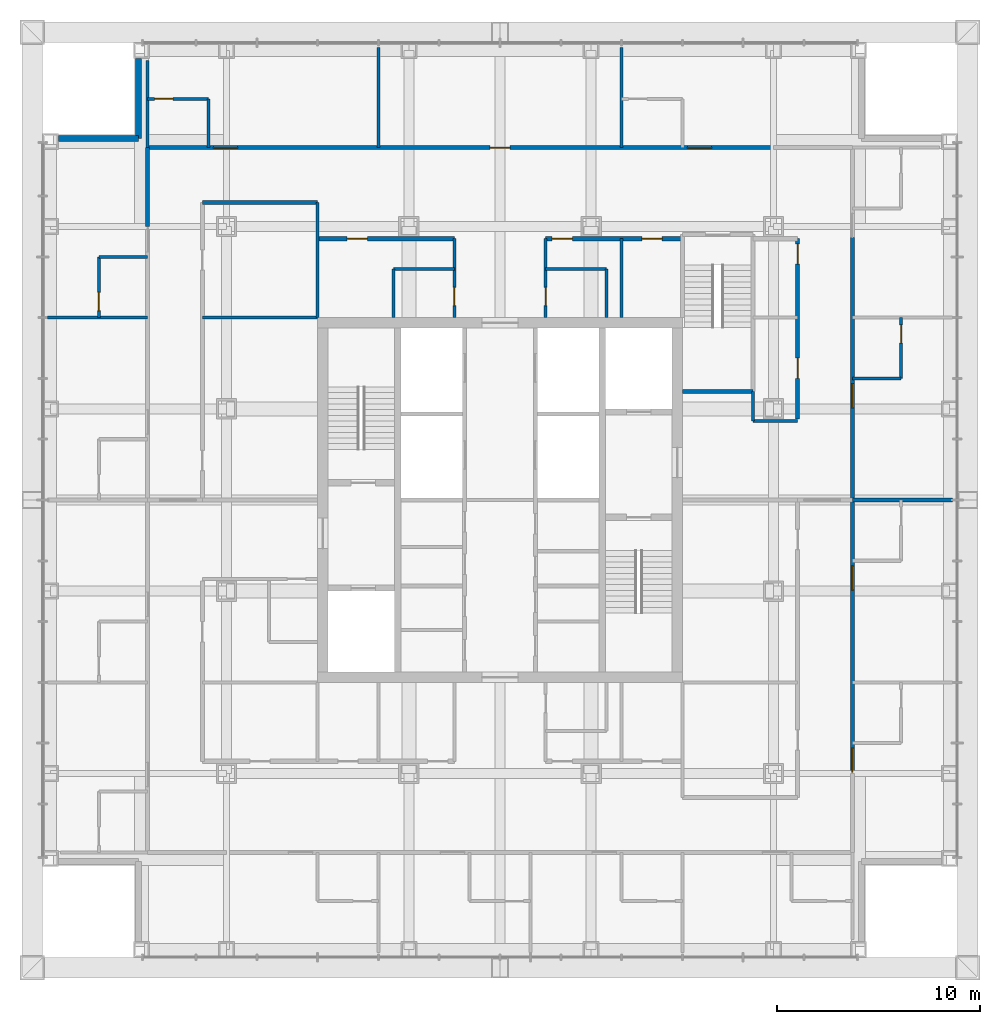
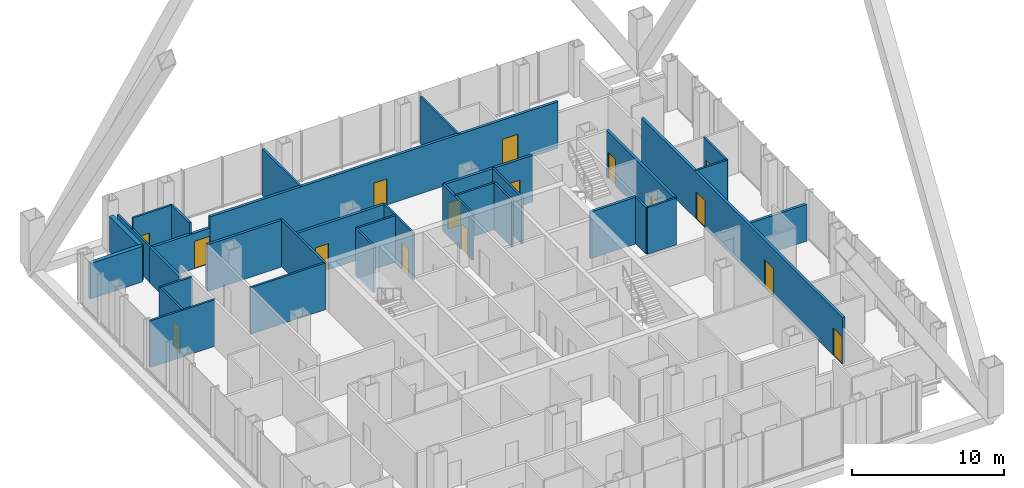
# One storey, part 14 of 16: 33 walls, 16 doors, 16 openings.
"""IFC4 building model written with IfcOpenShell, lengths in metres."""

from ifc_helpers import new_model, si_unit, direction, frame, frame_2d, origin, place, context, subcontext, project, spatial, rectangle, extrude, material, layer, layer_set, type_object, element, fill, save


model = new_model("IFC4")

# Units and contexts
model_context = context("Model", 3, precision=1e-05, world=origin(), true_north=direction((0.0, 1.0)))
body_context = subcontext(model_context, "Body", "Model", "MODEL_VIEW")
ifc_project = project(units=[si_unit("LENGTHUNIT", "METRE"), si_unit("AREAUNIT", "SQUARE_METRE"), si_unit("VOLUMEUNIT", "CUBIC_METRE"), si_unit("PLANEANGLEUNIT", "RADIAN"), si_unit("MASSUNIT", "GRAM", prefix="KILO")], contexts=[model_context])

# Site, building, storey
site_placement = place(None, origin())
site = spatial("IfcSite", under=ifc_project, at=site_placement, CompositionType="ELEMENT")
building_placement = place(site_placement, origin())
building = spatial("IfcBuilding", under=site, at=building_placement, Name="Malebo Sky Hospital", CompositionType="ELEMENT")
storey_placement = place(building_placement, frame((0.0, 0.0, 209.0)))
storey = spatial("IfcBuildingStorey", under=building, at=storey_placement, Name="L50", CompositionType="ELEMENT", Elevation=209.0)

# Wall, opening, door
ifc_material_1 = material(Name="Gypsum board on steel studs", Category="steel")
ifc_layer_1 = layer(ifc_material_1, 0.199951171875)
ifc_layer_set_1 = layer_set([ifc_layer_1], Name="CORRIDOR WALL 200")
wall_type_1 = type_object("IfcWallType", Name="CORRIDOR WALL 200", PredefinedType="PARTITIONING", material=ifc_layer_set_1)
wall_1_placement = place(storey_placement, frame((42.60009765625, 79.39990234375, 0.0), z_axis=(0.0, 0.0, 1.0), x_axis=(1.0, 0.0, 0.0)))
wall_1 = element("IfcWall", 1, at=wall_1_placement, inside=storey, type_object=wall_type_1, Name="Corridor Wall 200 NCO", PredefinedType="PARTITIONING", context=body_context, shape_type="SweptSolid", body=[
    extrude(rectangle(XDim=4.449951171875, YDim=0.199951171875, at=frame_2d((2.22509765625, 0.0))), origin(), (0.0, 0.0, 1.0), 2.85009765625),
])
opening_1_placement = place(wall_1_placement, frame((3.25, 0.0, 0.0)))
opening_1 = element("IfcOpeningElement", 2, at=opening_1_placement, cuts=wall_1, Name="Opening D01", PredefinedType="OPENING", context=body_context, shape_type="SweptSolid", body=[
    extrude(rectangle(XDim=1.199951171875, YDim=2.199951171875, at=frame_2d((0.60009765625, 1.10009765625))), frame((0.0, 0.10986328125, 0.0), z_axis=(0.0, -1.0, 0.0), x_axis=(1.0, 0.0, 0.0)), (0.0, 0.0, 1.0), 0.219970703125),
])
ifc_material_2 = material(Name="Hardwood-faced door leaf in steel frame", Category="steel")
door_type_1 = type_object("IfcDoorType", Name="BED DOOR 1200", OperationType="SINGLE_SWING_LEFT", PredefinedType="DOOR", material=ifc_material_2)
door_1_placement = place(opening_1_placement, origin())
door_1 = element("IfcDoor", 3, at=door_1_placement, inside=storey, type_object=door_type_1, Name="Birthing room door", OperationType="SINGLE_SWING_LEFT", OverallHeight=2.199951171875, OverallWidth=1.199951171875, PredefinedType="DOOR", context=body_context, shape_type="SweptSolid", body=[
    extrude(rectangle(XDim=1.199951171875, YDim=2.199951171875, at=frame_2d((0.60009765625, 1.10009765625))), frame((0.0, 0.02490234375, 0.0), z_axis=(0.0, -1.0, 0.0), x_axis=(1.0, 0.0, 0.0)), (0.0, 0.0, 1.0), 0.050048828125),
])
fill(opening_1, door_1)

# Wall, openings, doors
wall_2_placement = place(storey_placement, frame((47.050048828125, 79.39990234375, 0.0), z_axis=(0.0, 0.0, 1.0), x_axis=(1.0, 0.0, 0.0)))
wall_2 = element("IfcWall", 4, at=wall_2_placement, inside=storey, type_object=wall_type_1, Name="Corridor Wall 200 NCO", PredefinedType="PARTITIONING", context=body_context, shape_type="SweptSolid", body=[
    extrude(rectangle(XDim=26.449951171875, YDim=0.199951171875, at=frame_2d((13.22509765625, 0.0))), origin(), (0.0, 0.0, 1.0), 3.75),
])
opening_2_placement = place(wall_2_placement, frame((12.449951171875, 0.0, 0.0)))
opening_2 = element("IfcOpeningElement", 5, at=opening_2_placement, cuts=wall_2, Name="Opening D03", PredefinedType="OPENING", context=body_context, shape_type="SweptSolid", body=[
    extrude(rectangle(XDim=1.0, YDim=2.10009765625, at=frame_2d((0.5, 1.050048828125))), frame((0.0, 0.10986328125, 0.0), z_axis=(0.0, -1.0, 0.0), x_axis=(1.0, 0.0, 0.0)), (0.0, 0.0, 1.0), 0.219970703125),
])
opening_3_placement = place(wall_2_placement, frame((22.199951171875, 0.0, 0.0)))
opening_3 = element("IfcOpeningElement", 6, at=opening_3_placement, cuts=wall_2, Name="Opening D01", PredefinedType="OPENING", context=body_context, shape_type="SweptSolid", body=[
    extrude(rectangle(XDim=1.199951171875, YDim=2.199951171875, at=frame_2d((0.60009765625, 1.10009765625))), frame((0.0, 0.10986328125, 0.0), z_axis=(0.0, -1.0, 0.0), x_axis=(1.0, 0.0, 0.0)), (0.0, 0.0, 1.0), 0.219970703125),
])
door_2_placement = place(opening_3_placement, origin())
door_2 = element("IfcDoor", 7, at=door_2_placement, inside=storey, type_object=door_type_1, Name="Birthing room door", OperationType="SINGLE_SWING_LEFT", OverallHeight=2.199951171875, OverallWidth=1.199951171875, PredefinedType="DOOR", context=body_context, shape_type="SweptSolid", body=[
    extrude(rectangle(XDim=1.199951171875, YDim=2.199951171875, at=frame_2d((0.60009765625, 1.10009765625))), frame((0.0, 0.02490234375, 0.0), z_axis=(0.0, -1.0, 0.0), x_axis=(1.0, 0.0, 0.0)), (0.0, 0.0, 1.0), 0.050048828125),
])
fill(opening_3, door_2)
door_type_2 = type_object("IfcDoorType", Name="ROOM DOOR 1000", OperationType="SINGLE_SWING_LEFT", PredefinedType="DOOR", material=ifc_material_2)
door_3_placement = place(opening_2_placement, origin())
door_3 = element("IfcDoor", 8, at=door_3_placement, inside=storey, type_object=door_type_2, Name="Patient lounge door", OperationType="SINGLE_SWING_LEFT", OverallHeight=2.10009765625, OverallWidth=1.0, PredefinedType="DOOR", context=body_context, shape_type="SweptSolid", body=[
    extrude(rectangle(XDim=1.0, YDim=2.10009765625, at=frame_2d((0.5, 1.050048828125))), frame((0.0, 0.02490234375, 0.0), z_axis=(0.0, -1.0, 0.0), x_axis=(1.0, 0.0, 0.0)), (0.0, 0.0, 1.0), 0.050048828125),
])
fill(opening_2, door_3)

# Wall
wall_3_placement = place(storey_placement, frame((45.300048828125, 76.699951171875, 0.0), z_axis=(0.0, 0.0, 1.0), x_axis=(1.0, 0.0, 0.0)))
element("IfcWall", 9, at=wall_3_placement, inside=storey, type_object=wall_type_1, Name="Corridor Wall 200 NCIK", PredefinedType="PARTITIONING", context=body_context, shape_type="SweptSolid", body=[
    extrude(rectangle(XDim=5.699951171875, YDim=0.199951171875, at=frame_2d((2.85009765625, 0.0))), origin(), (0.0, 0.0, 1.0), 3.75),
])

# Wall, opening, door
wall_4_placement = place(storey_placement, frame((51.0, 74.89990234375, 0.0), z_axis=(0.0, 0.0, 1.0), x_axis=(1.0, 0.0, 0.0)))
wall_4 = element("IfcWall", 10, at=wall_4_placement, inside=storey, type_object=wall_type_1, Name="Corridor Wall 200 NCI1", PredefinedType="PARTITIONING", context=body_context, shape_type="SweptSolid", body=[
    extrude(rectangle(XDim=6.75, YDim=0.199951171875, at=frame_2d((3.375, 0.0))), origin(), (0.0, 0.0, 1.0), 3.75),
])
opening_4_placement = place(wall_4_placement, frame((1.449951171875, 0.0, 0.0)))
opening_4 = element("IfcOpeningElement", 11, at=opening_4_placement, cuts=wall_4, Name="Opening D03", PredefinedType="OPENING", context=body_context, shape_type="SweptSolid", body=[
    extrude(rectangle(XDim=1.0, YDim=2.10009765625, at=frame_2d((0.5, 1.050048828125))), frame((0.0, 0.10986328125, 0.0), z_axis=(0.0, -1.0, 0.0), x_axis=(1.0, 0.0, 0.0)), (0.0, 0.0, 1.0), 0.219970703125),
])
door_4_placement = place(opening_4_placement, origin())
door_4 = element("IfcDoor", 12, at=door_4_placement, inside=storey, type_object=door_type_2, Name="Neonatal resuscitation room door", OperationType="SINGLE_SWING_LEFT", OverallHeight=2.10009765625, OverallWidth=1.0, PredefinedType="DOOR", context=body_context, shape_type="SweptSolid", body=[
    extrude(rectangle(XDim=1.0, YDim=2.10009765625, at=frame_2d((0.5, 1.050048828125))), frame((0.0, 0.02490234375, 0.0), z_axis=(0.0, -1.0, 0.0), x_axis=(1.0, 0.0, 0.0)), (0.0, 0.0, 1.0), 0.050048828125),
])
fill(opening_4, door_4)

# Wall, openings, doors
wall_5_placement = place(storey_placement, frame((62.25, 74.89990234375, 0.0), z_axis=(0.0, 0.0, 1.0), x_axis=(1.0, 0.0, 0.0)))
wall_5 = element("IfcWall", 13, at=wall_5_placement, inside=storey, type_object=wall_type_1, Name="Corridor Wall 200 NCI2", PredefinedType="PARTITIONING", context=body_context, shape_type="SweptSolid", body=[
    extrude(rectangle(XDim=6.75, YDim=0.199951171875, at=frame_2d((3.375, 0.0))), origin(), (0.0, 0.0, 1.0), 3.75),
])
opening_5_placement = place(wall_5_placement, frame((0.324951171875, 0.0, 0.0)))
opening_5 = element("IfcOpeningElement", 14, at=opening_5_placement, cuts=wall_5, Name="Opening D03", PredefinedType="OPENING", context=body_context, shape_type="SweptSolid", body=[
    extrude(rectangle(XDim=1.0, YDim=2.10009765625, at=frame_2d((0.5, 1.050048828125))), frame((0.0, 0.10986328125, 0.0), z_axis=(0.0, -1.0, 0.0), x_axis=(1.0, 0.0, 0.0)), (0.0, 0.0, 1.0), 0.219970703125),
])
opening_6_placement = place(wall_5_placement, frame((4.75, 0.0, 0.0)))
opening_6 = element("IfcOpeningElement", 15, at=opening_6_placement, cuts=wall_5, Name="Opening D03", PredefinedType="OPENING", context=body_context, shape_type="SweptSolid", body=[
    extrude(rectangle(XDim=1.0, YDim=2.10009765625, at=frame_2d((0.5, 1.050048828125))), frame((0.0, 0.10986328125, 0.0), z_axis=(0.0, -1.0, 0.0), x_axis=(1.0, 0.0, 0.0)), (0.0, 0.0, 1.0), 0.219970703125),
])
door_5_placement = place(opening_5_placement, origin())
door_5 = element("IfcDoor", 16, at=door_5_placement, inside=storey, type_object=door_type_2, Name="Medication room door", OperationType="SINGLE_SWING_LEFT", OverallHeight=2.10009765625, OverallWidth=1.0, PredefinedType="DOOR", context=body_context, shape_type="SweptSolid", body=[
    extrude(rectangle(XDim=1.0, YDim=2.10009765625, at=frame_2d((0.5, 1.050048828125))), frame((0.0, 0.02490234375, 0.0), z_axis=(0.0, -1.0, 0.0), x_axis=(1.0, 0.0, 0.0)), (0.0, 0.0, 1.0), 0.050048828125),
])
fill(opening_5, door_5)
door_6_placement = place(opening_6_placement, origin())
door_6 = element("IfcDoor", 17, at=door_6_placement, inside=storey, type_object=door_type_2, Name="Dirty utility room door", OperationType="SINGLE_SWING_RIGHT", OverallHeight=2.10009765625, OverallWidth=1.0, PredefinedType="DOOR", context=body_context, shape_type="SweptSolid", body=[
    extrude(rectangle(XDim=1.0, YDim=2.10009765625, at=frame_2d((0.5, 1.050048828125))), frame((0.0, 0.02490234375, 0.0), z_axis=(0.0, -1.0, 0.0), x_axis=(1.0, 0.0, 0.0)), (0.0, 0.0, 1.0), 0.050048828125),
])
fill(opening_6, door_6)

# Wall
wall_6_placement = place(storey_placement, frame((42.60009765625, 75.5, 0.0), z_axis=(0.0, 0.0, 1.0), x_axis=(0.0, 1.0, 0.0)))
element("IfcWall", 18, at=wall_6_placement, inside=storey, type_object=wall_type_1, Name="Corridor Wall 200 WCO", PredefinedType="PARTITIONING", context=body_context, shape_type="SweptSolid", body=[
    extrude(rectangle(XDim=3.89990234375, YDim=0.199951171875, at=frame_2d((1.949951171875, 0.0))), origin(), (0.0, 0.0, 1.0), 2.85009765625),
])

# Wall, openings, doors
wall_7_placement = place(storey_placement, frame((77.39990234375, 74.949951171875, 0.0), z_axis=(0.0, 0.0, 1.0), x_axis=(0.0, -1.0, 0.0)))
wall_7 = element("IfcWall", 19, at=wall_7_placement, inside=storey, type_object=wall_type_1, Name="Corridor Wall 200 ECO", PredefinedType="PARTITIONING", context=body_context, shape_type="SweptSolid", body=[
    extrude(rectangle(XDim=26.449951171875, YDim=0.199951171875, at=frame_2d((13.22509765625, 0.0))), origin(), (0.0, 0.0, 1.0), 3.75),
])
opening_7_placement = place(wall_7_placement, frame((7.199951171875, 0.0, 0.0)))
opening_7 = element("IfcOpeningElement", 20, at=opening_7_placement, cuts=wall_7, Name="Opening D01", PredefinedType="OPENING", context=body_context, shape_type="SweptSolid", body=[
    extrude(rectangle(XDim=1.199951171875, YDim=2.199951171875, at=frame_2d((0.60009765625, 1.10009765625))), frame((0.0, 0.10986328125, 0.0), z_axis=(0.0, -1.0, 0.0), x_axis=(1.0, 0.0, 0.0)), (0.0, 0.0, 1.0), 0.219970703125),
])
opening_8_placement = place(wall_7_placement, frame((16.199951171875, 0.0, 0.0)))
opening_8 = element("IfcOpeningElement", 21, at=opening_8_placement, cuts=wall_7, Name="Opening D01", PredefinedType="OPENING", context=body_context, shape_type="SweptSolid", body=[
    extrude(rectangle(XDim=1.199951171875, YDim=2.199951171875, at=frame_2d((0.60009765625, 1.10009765625))), frame((0.0, 0.10986328125, 0.0), z_axis=(0.0, -1.0, 0.0), x_axis=(1.0, 0.0, 0.0)), (0.0, 0.0, 1.0), 0.219970703125),
])
opening_9_placement = place(wall_7_placement, frame((25.199951171875, 0.0, 0.0)))
opening_9 = element("IfcOpeningElement", 22, at=opening_9_placement, cuts=wall_7, Name="Opening D01", PredefinedType="OPENING", context=body_context, shape_type="SweptSolid", body=[
    extrude(rectangle(XDim=1.199951171875, YDim=2.199951171875, at=frame_2d((0.60009765625, 1.10009765625))), frame((0.0, 0.10986328125, 0.0), z_axis=(0.0, -1.0, 0.0), x_axis=(1.0, 0.0, 0.0)), (0.0, 0.0, 1.0), 0.219970703125),
])
door_7_placement = place(opening_7_placement, origin())
door_7 = element("IfcDoor", 23, at=door_7_placement, inside=storey, type_object=door_type_1, Name="Birthing room door", OperationType="SINGLE_SWING_LEFT", OverallHeight=2.199951171875, OverallWidth=1.199951171875, PredefinedType="DOOR", context=body_context, shape_type="SweptSolid", body=[
    extrude(rectangle(XDim=1.199951171875, YDim=2.199951171875, at=frame_2d((0.60009765625, 1.10009765625))), frame((0.0, 0.02490234375, 0.0), z_axis=(0.0, -1.0, 0.0), x_axis=(1.0, 0.0, 0.0)), (0.0, 0.0, 1.0), 0.050048828125),
])
fill(opening_7, door_7)
door_8_placement = place(opening_8_placement, origin())
door_8 = element("IfcDoor", 24, at=door_8_placement, inside=storey, type_object=door_type_1, Name="Birthing room door", OperationType="SINGLE_SWING_LEFT", OverallHeight=2.199951171875, OverallWidth=1.199951171875, PredefinedType="DOOR", context=body_context, shape_type="SweptSolid", body=[
    extrude(rectangle(XDim=1.199951171875, YDim=2.199951171875, at=frame_2d((0.60009765625, 1.10009765625))), frame((0.0, 0.02490234375, 0.0), z_axis=(0.0, -1.0, 0.0), x_axis=(1.0, 0.0, 0.0)), (0.0, 0.0, 1.0), 0.050048828125),
])
fill(opening_8, door_8)
door_9_placement = place(opening_9_placement, origin())
door_9 = element("IfcDoor", 25, at=door_9_placement, inside=storey, type_object=door_type_1, Name="Birthing room door", OperationType="SINGLE_SWING_LEFT", OverallHeight=2.199951171875, OverallWidth=1.199951171875, PredefinedType="DOOR", context=body_context, shape_type="SweptSolid", body=[
    extrude(rectangle(XDim=1.199951171875, YDim=2.199951171875, at=frame_2d((0.60009765625, 1.10009765625))), frame((0.0, 0.02490234375, 0.0), z_axis=(0.0, -1.0, 0.0), x_axis=(1.0, 0.0, 0.0)), (0.0, 0.0, 1.0), 0.050048828125),
])
fill(opening_9, door_9)

wall_8_placement = place(storey_placement, frame((74.699951171875, 74.89990234375, 0.0), z_axis=(0.0, 0.0, 1.0), x_axis=(0.0, -1.0, 0.0)))
wall_8 = element("IfcWall", 26, at=wall_8_placement, inside=storey, type_object=wall_type_1, Name="Corridor Wall 200 ECI1", PredefinedType="PARTITIONING", context=body_context, shape_type="SweptSolid", body=[
    extrude(rectangle(XDim=8.89990234375, YDim=0.199951171875, at=frame_2d((4.449951171875, 0.0))), origin(), (0.0, 0.0, 1.0), 3.75),
])
opening_10_placement = place(wall_8_placement, frame((0.25, 0.0, 0.0)))
opening_10 = element("IfcOpeningElement", 27, at=opening_10_placement, cuts=wall_8, Name="Opening D03", PredefinedType="OPENING", context=body_context, shape_type="SweptSolid", body=[
    extrude(rectangle(XDim=1.0, YDim=2.10009765625, at=frame_2d((0.5, 1.050048828125))), frame((0.0, 0.10986328125, 0.0), z_axis=(0.0, -1.0, 0.0), x_axis=(1.0, 0.0, 0.0)), (0.0, 0.0, 1.0), 0.219970703125),
])
opening_11_placement = place(wall_8_placement, frame((5.89990234375, 0.0, 0.0)))
opening_11 = element("IfcOpeningElement", 28, at=opening_11_placement, cuts=wall_8, Name="Opening D03", PredefinedType="OPENING", context=body_context, shape_type="SweptSolid", body=[
    extrude(rectangle(XDim=1.0, YDim=2.10009765625, at=frame_2d((0.5, 1.050048828125))), frame((0.0, 0.10986328125, 0.0), z_axis=(0.0, -1.0, 0.0), x_axis=(1.0, 0.0, 0.0)), (0.0, 0.0, 1.0), 0.219970703125),
])
door_10_placement = place(opening_10_placement, origin())
door_10 = element("IfcDoor", 29, at=door_10_placement, inside=storey, type_object=door_type_2, Name="Treatment room door", OperationType="SINGLE_SWING_LEFT", OverallHeight=2.10009765625, OverallWidth=1.0, PredefinedType="DOOR", context=body_context, shape_type="SweptSolid", body=[
    extrude(rectangle(XDim=1.0, YDim=2.10009765625, at=frame_2d((0.5, 1.050048828125))), frame((0.0, 0.02490234375, 0.0), z_axis=(0.0, -1.0, 0.0), x_axis=(1.0, 0.0, 0.0)), (0.0, 0.0, 1.0), 0.050048828125),
])
fill(opening_10, door_10)
door_11_placement = place(opening_11_placement, origin())
door_11 = element("IfcDoor", 30, at=door_11_placement, inside=storey, type_object=door_type_2, Name="Interview room door", OperationType="SINGLE_SWING_LEFT", OverallHeight=2.10009765625, OverallWidth=1.0, PredefinedType="DOOR", context=body_context, shape_type="SweptSolid", body=[
    extrude(rectangle(XDim=1.0, YDim=2.10009765625, at=frame_2d((0.5, 1.050048828125))), frame((0.0, 0.02490234375, 0.0), z_axis=(0.0, -1.0, 0.0), x_axis=(1.0, 0.0, 0.0)), (0.0, 0.0, 1.0), 0.050048828125),
])
fill(opening_11, door_11)

# Walls
ifc_material_3 = material(Name="Anodised aluminium rainscreen on steel framing", Category="steel")
ifc_layer_2 = layer(ifc_material_3, 0.300048828125)
ifc_layer_set_2 = layer_set([ifc_layer_2], Name="NOTCH RAINSCREEN WALL 300")
wall_type_2 = type_object("IfcWallType", Name="NOTCH RAINSCREEN WALL 300", PredefinedType="ELEMENTEDWALL", material=ifc_layer_set_2)
for number, where, z_axis, x_axis, name in (
    (31, (38.199951171875, 79.85009765625, 0.0), (0.0, 0.0, 1.0), (1.0, 0.0, 0.0), "Notch rainscreen wall W1 L50"),
    (32, (42.14990234375, 79.85009765625, 0.0), (0.0, 0.0, 1.0), (0.0, 1.0, 0.0), "Notch rainscreen wall W2 L50"),
):
    element("IfcWall", number, at=place(storey_placement, frame(where, z_axis=z_axis, x_axis=x_axis)), inside=storey, type_object=wall_type_2, Name=name, PredefinedType="ELEMENTEDWALL", context=body_context, shape_type="SweptSolid", body=[
        extrude(rectangle(XDim=3.949951171875, YDim=0.300048828125, at=frame_2d((1.97509765625, 0.0))), origin(), (0.0, 0.0, 1.0), 2.85009765625),
    ])
ifc_layer_3 = layer(ifc_material_1, 0.14990234375)
ifc_layer_set_3 = layer_set([ifc_layer_3], Name="PARTITION 150")
wall_type_3 = type_object("IfcWallType", Name="PARTITION 150", PredefinedType="PARTITIONING", material=ifc_layer_set_3)
for number, where, z_axis, x_axis, name in (
    (33, (54.0, 79.39990234375, 0.0), (0.0, 0.0, 1.0), (0.0, 1.0, 0.0), "Partition 150 NP-6.0"),
    (34, (66.0, 79.39990234375, 0.0), (0.0, 0.0, 1.0), (0.0, 1.0, 0.0), "Partition 150 NP+6.0"),
):
    element("IfcWall", number, at=place(storey_placement, frame(where, z_axis=z_axis, x_axis=x_axis)), inside=storey, type_object=wall_type_3, Name=name, PredefinedType="PARTITIONING", context=body_context, shape_type="SweptSolid", body=[
        extrude(rectangle(XDim=4.9501953125, YDim=0.14990234375, at=frame_2d((2.47509765625, 0.0))), origin(), (0.0, 0.0, 1.0), 3.75),
    ])
wall_9_placement = place(storey_placement, frame((42.60009765625, 79.39990234375, 0.0), z_axis=(0.0, 0.0, 1.0), x_axis=(0.0, 1.0, 0.0)))
element("IfcWall", 35, at=wall_9_placement, inside=storey, type_object=wall_type_3, Name="Partition 150 NP0", PredefinedType="PARTITIONING", context=body_context, shape_type="SweptSolid", body=[
    extrude(rectangle(XDim=4.300048828125, YDim=0.14990234375, at=frame_2d((2.14990234375, 0.0))), origin(), (0.0, 0.0, 1.0), 2.85009765625),
])

# Wall, opening, door
wall_10_placement = place(storey_placement, frame((42.60009765625, 81.800048828125, 0.0), z_axis=(0.0, 0.0, 1.0), x_axis=(1.0, 0.0, 0.0)))
wall_10 = element("IfcWall", 36, at=wall_10_placement, inside=storey, type_object=wall_type_3, Name="Partition 150 NE0F", PredefinedType="PARTITIONING", context=body_context, shape_type="SweptSolid", body=[
    extrude(rectangle(XDim=3.0, YDim=0.14990234375, at=frame_2d((1.5, 0.0))), origin(), (0.0, 0.0, 1.0), 3.75),
])
opening_12_placement = place(wall_10_placement, frame((0.35009765625, 0.0, 0.0)))
opening_12 = element("IfcOpeningElement", 37, at=opening_12_placement, cuts=wall_10, Name="Opening D02", PredefinedType="OPENING", context=body_context, shape_type="SweptSolid", body=[
    extrude(rectangle(XDim=0.89990234375, YDim=2.10009765625, at=frame_2d((0.449951171875, 1.050048828125))), frame((0.0, 0.0849609375, 0.0), z_axis=(0.0, -1.0, 0.0), x_axis=(1.0, 0.0, 0.0)), (0.0, 0.0, 1.0), 0.169921875),
])
door_type_3 = type_object("IfcDoorType", Name="EN-SUITE DOOR 900", OperationType="SINGLE_SWING_LEFT", PredefinedType="DOOR", material=ifc_material_2)
door_12_placement = place(opening_12_placement, origin())
door_12 = element("IfcDoor", 38, at=door_12_placement, inside=storey, type_object=door_type_3, Name="En-suite door", OperationType="SINGLE_SWING_LEFT", OverallHeight=2.10009765625, OverallWidth=0.89990234375, PredefinedType="DOOR", context=body_context, shape_type="SweptSolid", body=[
    extrude(rectangle(XDim=0.89990234375, YDim=2.10009765625, at=frame_2d((0.449951171875, 1.050048828125))), frame((0.0, 0.02490234375, 0.0), z_axis=(0.0, -1.0, 0.0), x_axis=(1.0, 0.0, 0.0)), (0.0, 0.0, 1.0), 0.050048828125),
])
fill(opening_12, door_12)

# Walls
wall_11_placement = place(storey_placement, frame((45.60009765625, 79.39990234375, 0.0), z_axis=(0.0, 0.0, 1.0), x_axis=(0.0, 1.0, 0.0)))
element("IfcWall", 39, at=wall_11_placement, inside=storey, type_object=wall_type_3, Name="Partition 150 NE0S", PredefinedType="PARTITIONING", context=body_context, shape_type="SweptSolid", body=[
    extrude(rectangle(XDim=2.400146484375, YDim=0.14990234375, at=frame_2d((1.2001953125, 0.0))), origin(), (0.0, 0.0, 1.0), 3.75),
])
wall_12_placement = place(storey_placement, frame((51.0, 71.0, 0.0), z_axis=(0.0, 0.0, 1.0), x_axis=(0.0, 1.0, 0.0)))
element("IfcWall", 40, at=wall_12_placement, inside=storey, type_object=wall_type_3, Name="Partition 150 NSP0", PredefinedType="PARTITIONING", context=body_context, shape_type="SweptSolid", body=[
    extrude(rectangle(XDim=5.699951171875, YDim=0.14990234375, at=frame_2d((2.85009765625, 0.0))), origin(), (0.0, 0.0, 1.0), 3.75),
])

# Wall, opening, door
wall_13_placement = place(storey_placement, frame((57.75, 71.0, 0.0), z_axis=(0.0, 0.0, 1.0), x_axis=(0.0, 1.0, 0.0)))
wall_13 = element("IfcWall", 41, at=wall_13_placement, inside=storey, type_object=wall_type_3, Name="Partition 150 NSPA", PredefinedType="PARTITIONING", context=body_context, shape_type="SweptSolid", body=[
    extrude(rectangle(XDim=3.89990234375, YDim=0.14990234375, at=frame_2d((1.949951171875, 0.0))), origin(), (0.0, 0.0, 1.0), 3.75),
])
opening_13_placement = place(wall_13_placement, frame((0.60009765625, 0.0, 0.0)))
opening_13 = element("IfcOpeningElement", 42, at=opening_13_placement, cuts=wall_13, Name="Opening D04", PredefinedType="OPENING", context=body_context, shape_type="SweptSolid", body=[
    extrude(rectangle(XDim=0.89990234375, YDim=2.10009765625, at=frame_2d((0.449951171875, 1.050048828125))), frame((0.0, 0.0849609375, 0.0), z_axis=(0.0, -1.0, 0.0), x_axis=(1.0, 0.0, 0.0)), (0.0, 0.0, 1.0), 0.169921875),
])
door_type_4 = type_object("IfcDoorType", Name="ROOM DOOR 900", OperationType="SINGLE_SWING_LEFT", PredefinedType="DOOR", material=ifc_material_2)
door_13_placement = place(opening_13_placement, origin())
door_13 = element("IfcDoor", 43, at=door_13_placement, inside=storey, type_object=door_type_4, Name="Staff WC door", OperationType="SINGLE_SWING_LEFT", OverallHeight=2.10009765625, OverallWidth=0.89990234375, PredefinedType="DOOR", context=body_context, shape_type="SweptSolid", body=[
    extrude(rectangle(XDim=0.89990234375, YDim=2.10009765625, at=frame_2d((0.449951171875, 1.050048828125))), frame((0.0, 0.02490234375, 0.0), z_axis=(0.0, -1.0, 0.0), x_axis=(1.0, 0.0, 0.0)), (0.0, 0.0, 1.0), 0.050048828125),
])
fill(opening_13, door_13)

wall_14_placement = place(storey_placement, frame((62.25, 71.0, 0.0), z_axis=(0.0, 0.0, 1.0), x_axis=(0.0, 1.0, 0.0)))
wall_14 = element("IfcWall", 44, at=wall_14_placement, inside=storey, type_object=wall_type_3, Name="Partition 150 NSPB", PredefinedType="PARTITIONING", context=body_context, shape_type="SweptSolid", body=[
    extrude(rectangle(XDim=3.89990234375, YDim=0.14990234375, at=frame_2d((1.949951171875, 0.0))), origin(), (0.0, 0.0, 1.0), 3.75),
])
opening_14_placement = place(wall_14_placement, frame((0.60009765625, 0.0, 0.0)))
opening_14 = element("IfcOpeningElement", 45, at=opening_14_placement, cuts=wall_14, Name="Opening D04", PredefinedType="OPENING", context=body_context, shape_type="SweptSolid", body=[
    extrude(rectangle(XDim=0.89990234375, YDim=2.10009765625, at=frame_2d((0.449951171875, 1.050048828125))), frame((0.0, 0.0849609375, 0.0), z_axis=(0.0, -1.0, 0.0), x_axis=(1.0, 0.0, 0.0)), (0.0, 0.0, 1.0), 0.169921875),
])
door_14_placement = place(opening_14_placement, origin())
door_14 = element("IfcDoor", 46, at=door_14_placement, inside=storey, type_object=door_type_4, Name="Accessible WC door", OperationType="SINGLE_SWING_LEFT", OverallHeight=2.10009765625, OverallWidth=0.89990234375, PredefinedType="DOOR", context=body_context, shape_type="SweptSolid", body=[
    extrude(rectangle(XDim=0.89990234375, YDim=2.10009765625, at=frame_2d((0.449951171875, 1.050048828125))), frame((0.0, 0.02490234375, 0.0), z_axis=(0.0, -1.0, 0.0), x_axis=(1.0, 0.0, 0.0)), (0.0, 0.0, 1.0), 0.050048828125),
])
fill(opening_14, door_14)

# Walls
wall_15_placement = place(storey_placement, frame((66.0, 71.0, 0.0), z_axis=(0.0, 0.0, 1.0), x_axis=(0.0, 1.0, 0.0)))
element("IfcWall", 47, at=wall_15_placement, inside=storey, type_object=wall_type_3, Name="Partition 150 NSP+6.0", PredefinedType="PARTITIONING", context=body_context, shape_type="SweptSolid", body=[
    extrude(rectangle(XDim=3.89990234375, YDim=0.14990234375, at=frame_2d((1.949951171875, 0.0))), origin(), (0.0, 0.0, 1.0), 3.75),
])
wall_16_placement = place(storey_placement, frame((54.75, 73.39990234375, 0.0), z_axis=(0.0, 0.0, 1.0), x_axis=(1.0, 0.0, 0.0)))
element("IfcWall", 48, at=wall_16_placement, inside=storey, type_object=wall_type_3, Name="Partition 150 NSX0", PredefinedType="PARTITIONING", context=body_context, shape_type="SweptSolid", body=[
    extrude(rectangle(XDim=3.0, YDim=0.14990234375, at=frame_2d((1.5, 0.0))), origin(), (0.0, 0.0, 1.0), 3.75),
])
wall_17_placement = place(storey_placement, frame((54.75, 71.0, 0.0), z_axis=(0.0, 0.0, 1.0), x_axis=(0.0, 1.0, 0.0)))
element("IfcWall", 49, at=wall_17_placement, inside=storey, type_object=wall_type_3, Name="Partition 150 NSY0", PredefinedType="PARTITIONING", context=body_context, shape_type="SweptSolid", body=[
    extrude(rectangle(XDim=2.39990234375, YDim=0.14990234375, at=frame_2d((1.199951171875, 0.0))), origin(), (0.0, 0.0, 1.0), 3.75),
])
wall_18_placement = place(storey_placement, frame((62.25, 73.39990234375, 0.0), z_axis=(0.0, 0.0, 1.0), x_axis=(1.0, 0.0, 0.0)))
element("IfcWall", 50, at=wall_18_placement, inside=storey, type_object=wall_type_3, Name="Partition 150 NSX1", PredefinedType="PARTITIONING", context=body_context, shape_type="SweptSolid", body=[
    extrude(rectangle(XDim=3.0, YDim=0.14990234375, at=frame_2d((1.5, 0.0))), origin(), (0.0, 0.0, 1.0), 3.75),
])
wall_19_placement = place(storey_placement, frame((65.25, 71.0, 0.0), z_axis=(0.0, 0.0, 1.0), x_axis=(0.0, 1.0, 0.0)))
element("IfcWall", 51, at=wall_19_placement, inside=storey, type_object=wall_type_3, Name="Partition 150 NSY1", PredefinedType="PARTITIONING", context=body_context, shape_type="SweptSolid", body=[
    extrude(rectangle(XDim=2.39990234375, YDim=0.14990234375, at=frame_2d((1.199951171875, 0.0))), origin(), (0.0, 0.0, 1.0), 3.75),
])
wall_20_placement = place(storey_placement, frame((42.60009765625, 71.0, 0.0), z_axis=(0.0, 0.0, 1.0), x_axis=(-1.0, 0.0, 0.0)))
element("IfcWall", 52, at=wall_20_placement, inside=storey, type_object=wall_type_3, Name="Partition 150 WP+9.0", PredefinedType="PARTITIONING", context=body_context, shape_type="SweptSolid", body=[
    extrude(rectangle(XDim=4.9501953125, YDim=0.14990234375, at=frame_2d((2.47509765625, 0.0))), origin(), (0.0, 0.0, 1.0), 3.75),
])

# Wall, opening, door
wall_21_placement = place(storey_placement, frame((40.199951171875, 71.0, 0.0), z_axis=(0.0, 0.0, 1.0), x_axis=(0.0, 1.0, 0.0)))
wall_21 = element("IfcWall", 53, at=wall_21_placement, inside=storey, type_object=wall_type_3, Name="Partition 150 WE3F", PredefinedType="PARTITIONING", context=body_context, shape_type="SweptSolid", body=[
    extrude(rectangle(XDim=3.0, YDim=0.14990234375, at=frame_2d((1.5, 0.0))), origin(), (0.0, 0.0, 1.0), 3.75),
])
opening_15_placement = place(wall_21_placement, frame((0.35009765625, 0.0, 0.0)))
opening_15 = element("IfcOpeningElement", 54, at=opening_15_placement, cuts=wall_21, Name="Opening D02", PredefinedType="OPENING", context=body_context, shape_type="SweptSolid", body=[
    extrude(rectangle(XDim=0.89990234375, YDim=2.10009765625, at=frame_2d((0.449951171875, 1.050048828125))), frame((0.0, 0.0849609375, 0.0), z_axis=(0.0, -1.0, 0.0), x_axis=(1.0, 0.0, 0.0)), (0.0, 0.0, 1.0), 0.169921875),
])
door_15_placement = place(opening_15_placement, origin())
door_15 = element("IfcDoor", 55, at=door_15_placement, inside=storey, type_object=door_type_3, Name="En-suite door", OperationType="SINGLE_SWING_LEFT", OverallHeight=2.10009765625, OverallWidth=0.89990234375, PredefinedType="DOOR", context=body_context, shape_type="SweptSolid", body=[
    extrude(rectangle(XDim=0.89990234375, YDim=2.10009765625, at=frame_2d((0.449951171875, 1.050048828125))), frame((0.0, 0.02490234375, 0.0), z_axis=(0.0, -1.0, 0.0), x_axis=(1.0, 0.0, 0.0)), (0.0, 0.0, 1.0), 0.050048828125),
])
fill(opening_15, door_15)

# Walls
wall_22_placement = place(storey_placement, frame((42.60009765625, 74.0, 0.0), z_axis=(0.0, 0.0, 1.0), x_axis=(-1.0, 0.0, 0.0)))
element("IfcWall", 56, at=wall_22_placement, inside=storey, type_object=wall_type_3, Name="Partition 150 WE3S", PredefinedType="PARTITIONING", context=body_context, shape_type="SweptSolid", body=[
    extrude(rectangle(XDim=2.400146484375, YDim=0.14990234375, at=frame_2d((1.2001953125, 0.0))), origin(), (0.0, 0.0, 1.0), 3.75),
])
wall_23_placement = place(storey_placement, frame((51.0, 71.0, 0.0), z_axis=(0.0, 0.0, 1.0), x_axis=(-1.0, 0.0, 0.0)))
element("IfcWall", 57, at=wall_23_placement, inside=storey, type_object=wall_type_3, Name="Partition 150 WSP+9.0", PredefinedType="PARTITIONING", context=body_context, shape_type="SweptSolid", body=[
    extrude(rectangle(XDim=5.699951171875, YDim=0.14990234375, at=frame_2d((2.85009765625, 0.0))), origin(), (0.0, 0.0, 1.0), 3.75),
])

# Wall, opening, door
wall_24_placement = place(storey_placement, frame((79.800048828125, 71.0, 0.0), z_axis=(0.0, 0.0, 1.0), x_axis=(0.0, -1.0, 0.0)))
wall_24 = element("IfcWall", 58, at=wall_24_placement, inside=storey, type_object=wall_type_3, Name="Partition 150 EE1F", PredefinedType="PARTITIONING", context=body_context, shape_type="SweptSolid", body=[
    extrude(rectangle(XDim=3.0, YDim=0.14990234375, at=frame_2d((1.5, 0.0))), origin(), (0.0, 0.0, 1.0), 3.75),
])
opening_16_placement = place(wall_24_placement, frame((0.35009765625, 0.0, 0.0)))
opening_16 = element("IfcOpeningElement", 59, at=opening_16_placement, cuts=wall_24, Name="Opening D02", PredefinedType="OPENING", context=body_context, shape_type="SweptSolid", body=[
    extrude(rectangle(XDim=0.89990234375, YDim=2.10009765625, at=frame_2d((0.449951171875, 1.050048828125))), frame((0.0, 0.0849609375, 0.0), z_axis=(0.0, -1.0, 0.0), x_axis=(1.0, 0.0, 0.0)), (0.0, 0.0, 1.0), 0.169921875),
])
door_16_placement = place(opening_16_placement, origin())
door_16 = element("IfcDoor", 60, at=door_16_placement, inside=storey, type_object=door_type_3, Name="En-suite door", OperationType="SINGLE_SWING_LEFT", OverallHeight=2.10009765625, OverallWidth=0.89990234375, PredefinedType="DOOR", context=body_context, shape_type="SweptSolid", body=[
    extrude(rectangle(XDim=0.89990234375, YDim=2.10009765625, at=frame_2d((0.449951171875, 1.050048828125))), frame((0.0, 0.02490234375, 0.0), z_axis=(0.0, -1.0, 0.0), x_axis=(1.0, 0.0, 0.0)), (0.0, 0.0, 1.0), 0.050048828125),
])
fill(opening_16, door_16)

# Walls
wall_25_placement = place(storey_placement, frame((77.39990234375, 68.0, 0.0), z_axis=(0.0, 0.0, 1.0), x_axis=(1.0, 0.0, 0.0)))
element("IfcWall", 61, at=wall_25_placement, inside=storey, type_object=wall_type_3, Name="Partition 150 EE1S", PredefinedType="PARTITIONING", context=body_context, shape_type="SweptSolid", body=[
    extrude(rectangle(XDim=2.400146484375, YDim=0.14990234375, at=frame_2d((1.2001953125, 0.0))), origin(), (0.0, 0.0, 1.0), 3.75),
])
wall_26_placement = place(storey_placement, frame((72.5, 65.89990234375, 0.0), z_axis=(0.0, 0.0, 1.0), x_axis=(1.0, 0.0, 0.0)))
element("IfcWall", 62, at=wall_26_placement, inside=storey, type_object=wall_type_3, Name="Partition 150 ESPA", PredefinedType="PARTITIONING", context=body_context, shape_type="SweptSolid", body=[
    extrude(rectangle(XDim=2.199951171875, YDim=0.14990234375, at=frame_2d((1.10009765625, 0.0))), origin(), (0.0, 0.0, 1.0), 3.75),
])
wall_27_placement = place(storey_placement, frame((72.5, 65.89990234375, 0.0), z_axis=(0.0, 0.0, 1.0), x_axis=(0.0, 1.0, 0.0)))
element("IfcWall", 63, at=wall_27_placement, inside=storey, type_object=wall_type_3, Name="Partition 150 ST3C", PredefinedType="PARTITIONING", context=body_context, shape_type="SweptSolid", body=[
    extrude(rectangle(XDim=1.4501953125, YDim=0.14990234375, at=frame_2d((0.72509765625, 0.0))), origin(), (0.0, 0.0, 1.0), 3.75),
])
ifc_material_4 = material(Name="Concrete blockwork", Category="masonry")
ifc_layer_4 = layer(ifc_material_4, 0.199951171875)
ifc_layer_set_4 = layer_set([ifc_layer_4], Name="SMOKE BARRIER WALL 200")
wall_type_4 = type_object("IfcWallType", Name="SMOKE BARRIER WALL 200", PredefinedType="SOLIDWALL", material=ifc_layer_set_4)
wall_28_placement = place(storey_placement, frame((77.39990234375, 62.0, 0.0), z_axis=(0.0, 0.0, 1.0), x_axis=(1.0, 0.0, 0.0)))
element("IfcWall", 64, at=wall_28_placement, inside=storey, type_object=wall_type_4, Name="Smoke Barrier Wall 200 EP+0.0", PredefinedType="SOLIDWALL", context=body_context, shape_type="SweptSolid", body=[
    extrude(rectangle(XDim=4.9501953125, YDim=0.199951171875, at=frame_2d((2.47509765625, 0.0))), origin(), (0.0, 0.0, 1.0), 2.949951171875),
])
ifc_material_5 = material(Name="Concrete C40/50", Category="concrete")
ifc_layer_5 = layer(ifc_material_5, 0.199951171875)
ifc_layer_set_5 = layer_set([ifc_layer_5], Name="STAIR ENCLOSURE WALL 200")
wall_type_5 = type_object("IfcWallType", Name="STAIR ENCLOSURE WALL 200", PredefinedType="SOLIDWALL", material=ifc_layer_set_5)
wall_29_placement = place(storey_placement, frame((69.0, 67.35009765625, 0.0), z_axis=(0.0, 0.0, 1.0), x_axis=(1.0, 0.0, 0.0)))
element("IfcWall", 65, at=wall_29_placement, inside=storey, type_object=wall_type_5, Name="Stair Enclosure Wall 200 ST3S", PredefinedType="SOLIDWALL", context=body_context, shape_type="SweptSolid", body=[
    extrude(rectangle(XDim=3.5, YDim=0.199951171875, at=frame_2d((1.75, 0.0))), origin(), (0.0, 0.0, 1.0), 3.75),
])

save(model, "model.ifc")
